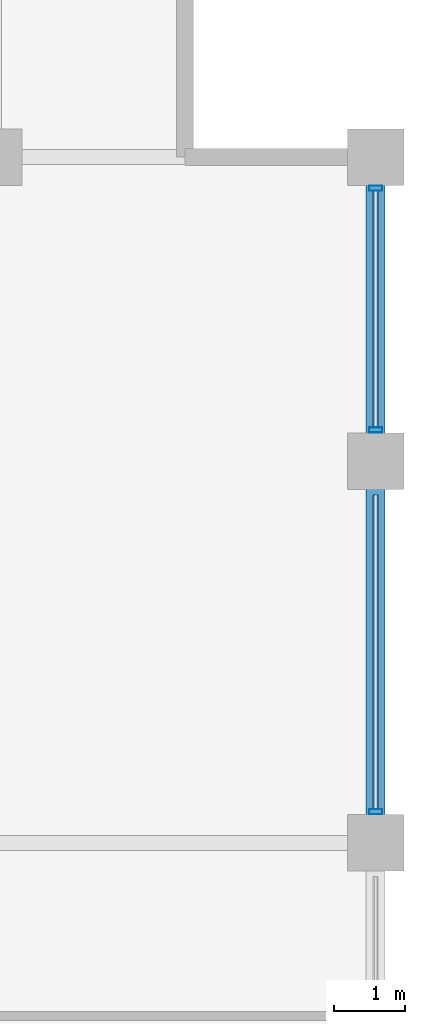
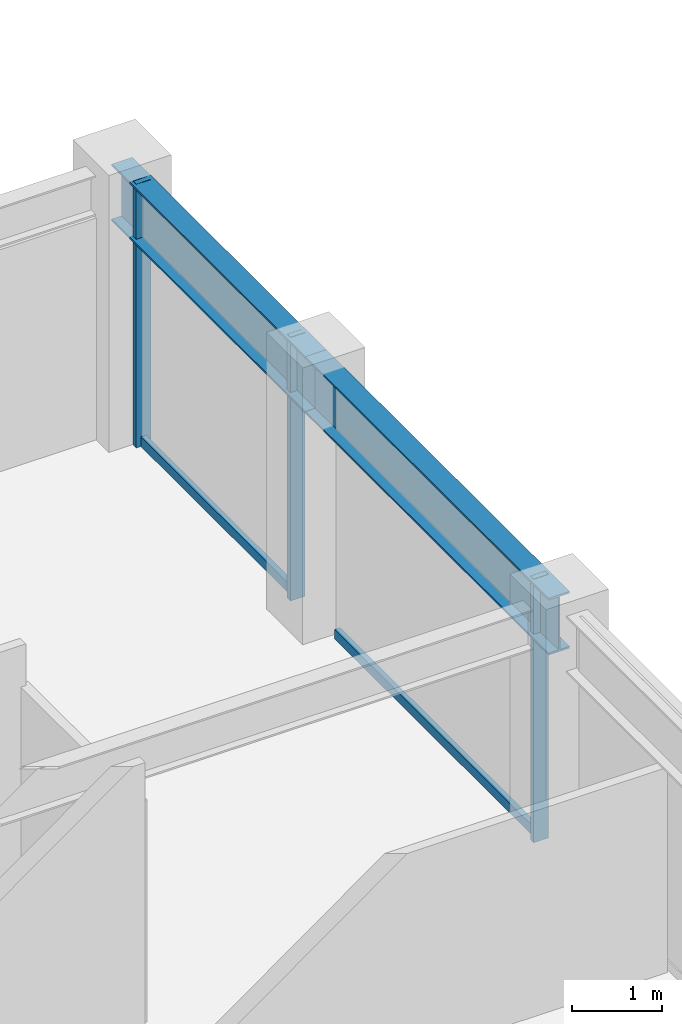
# One storey, part 25 of 32: 5 members, 2 beams, 1 element without a shape of its own.
"""IFC4 building model written with IfcOpenShell, lengths in metres."""

from ifc_helpers import new_model, si_unit, direction, frame, origin, origin_2d, place, context, subcontext, project, spatial, hollow_rectangle, i_section, extrude, material, layer, layer_set, material_profile, profile_set, type_object, element, aggregate, save


model = new_model("IFC4")

# Units and contexts
model_context = context("Model", 3, precision=1e-05, world=origin(), true_north=direction((0.0, 1.0)))
body_context = subcontext(model_context, "Body", "Model", "MODEL_VIEW")
ifc_project = project(units=[si_unit("LENGTHUNIT", "METRE"), si_unit("AREAUNIT", "SQUARE_METRE"), si_unit("VOLUMEUNIT", "CUBIC_METRE"), si_unit("PLANEANGLEUNIT", "RADIAN"), si_unit("MASSUNIT", "GRAM", prefix="KILO")], contexts=[model_context])

# Site, building, storey
site_placement = place(None, origin())
site = spatial("IfcSite", under=ifc_project, at=site_placement, CompositionType="ELEMENT")
building_placement = place(site_placement, origin())
building = spatial("IfcBuilding", under=site, at=building_placement, Name="Surkhivell Harbour Commons", CompositionType="ELEMENT")
storey_placement = place(building_placement, frame((0.0, 0.0, 219.75)))
storey = spatial("IfcBuildingStorey", under=building, at=storey_placement, Name="L57", CompositionType="ELEMENT", Elevation=219.75)

# Beams
ifc_material_1 = material(Name="Steel S355", Category="steel")
ifc_material_profile_1 = material_profile(ifc_material_1, i_section(OverallWidth=0.26806640625, OverallDepth=0.77001953125, WebThickness=0.015625, FlangeThickness=0.025390625, at=origin_2d()), Name="UB762x267x197")
ifc_profile_set_1 = profile_set([ifc_material_profile_1], Name="Steel S355")
beam_type = type_object("IfcBeamType", Name="BM-SPN-762", PredefinedType="SPANDREL", material=ifc_profile_set_1)
beam_1_placement = place(storey_placement, frame((21.60009765625, 10.800048828125, 3.18505859375), z_axis=(0.0, 1.0, 0.0), x_axis=(-1.0, 0.0, 0.0)))
element("IfcBeam", 1, at=beam_1_placement, inside=storey, type_object=beam_type, Name="L57 Tube Spandrel (21.6,10.8)", PredefinedType="SPANDREL", context=body_context, shape_type="SweptSolid", body=[
    extrude(i_section(OverallWidth=0.26806640625, OverallDepth=0.77001953125, WebThickness=0.015625, FlangeThickness=0.025390625, at=origin_2d()), origin(), (0.0, 0.0, 1.0), 5.39990234375),
])
beam_2_placement = place(storey_placement, frame((21.60009765625, 16.199951171875, 3.18505859375), z_axis=(0.0, 1.0, 0.0), x_axis=(-1.0, 0.0, 0.0)))
element("IfcBeam", 2, at=beam_2_placement, inside=storey, type_object=beam_type, Name="L57 Tube Spandrel (21.6,16.2)", PredefinedType="SPANDREL", context=body_context, shape_type="SweptSolid", body=[
    extrude(i_section(OverallWidth=0.26806640625, OverallDepth=0.77001953125, WebThickness=0.015625, FlangeThickness=0.025390625, at=origin_2d()), origin(), (0.0, 0.0, 1.0), 4.300048828125),
])

# Curtain wall, members
ifc_material_2 = material(Name="Anodised pale-metal aluminium and insulated glazing", Category="aluminium")
ifc_layer = layer(ifc_material_2, 0.18994140625)
ifc_layer_set = layer_set([ifc_layer], Name="Anodised pale-metal aluminium and insulated glazing")
curtain_wall_type = type_object("IfcCurtainWallType", Name="CW-SYS-Z3", PredefinedType="NOTDEFINED", material=ifc_layer_set)
curtain_wall_placement = place(storey_placement, origin())
curtain_wall = element("IfcCurtainWall", 3, at=curtain_wall_placement, inside=storey, type_object=curtain_wall_type, Name="L57 Curtain Wall CW-L57-E02", PredefinedType="NOTDEFINED")
ifc_material_3 = material(Name="Anodised pale-metal aluminium alloy 6063-T6", Category="aluminium")
ifc_material_profile_2 = material_profile(ifc_material_3, hollow_rectangle(XDim=0.074951171875, YDim=0.18994140625, WallThickness=0.00390625, at=origin_2d()), Name="ALU-MULL-75x190")
ifc_profile_set_2 = profile_set([ifc_material_profile_2], Name="Anodised pale-metal aluminium alloy 6063-T6")
member_type_1 = type_object("IfcMemberType", Name="CWM-190", PredefinedType="MULLION", material=ifc_profile_set_2)
member_1_placement = place(storey_placement, frame((21.60009765625, 11.239501953125, 0.0), z_axis=(0.0, 0.0, 1.0), x_axis=(0.0, 1.0, 0.0)))
member_1 = element("IfcMember", 4, at=member_1_placement, type_object=member_type_1, Name="CW-Z3 mullion 4", PredefinedType="MULLION", context=body_context, shape_type="SweptSolid", body=[
    extrude(hollow_rectangle(XDim=0.074951171875, YDim=0.18994140625, WallThickness=0.00390625, at=origin_2d()), origin(), (0.0, 0.0, 1.0), 3.570068359375),
])
member_2_placement = place(storey_placement, frame((21.60009765625, 16.639404296875, 0.0), z_axis=(0.0, 0.0, 1.0), x_axis=(0.0, 1.0, 0.0)))
member_2 = element("IfcMember", 5, at=member_2_placement, type_object=member_type_1, Name="CW-Z3 mullion 5", PredefinedType="MULLION", context=body_context, shape_type="SweptSolid", body=[
    extrude(hollow_rectangle(XDim=0.074951171875, YDim=0.18994140625, WallThickness=0.00390625, at=origin_2d()), origin(), (0.0, 0.0, 1.0), 3.570068359375),
])
member_3_placement = place(storey_placement, frame((21.60009765625, 20.060546875, 0.0), z_axis=(0.0, 0.0, 1.0), x_axis=(0.0, 1.0, 0.0)))
member_3 = element("IfcMember", 6, at=member_3_placement, type_object=member_type_1, Name="CW-Z3 mullion 6", PredefinedType="MULLION", context=body_context, shape_type="SweptSolid", body=[
    extrude(hollow_rectangle(XDim=0.074951171875, YDim=0.18994140625, WallThickness=0.00390625, at=origin_2d()), origin(), (0.0, 0.0, 1.0), 3.570068359375),
])
ifc_material_4 = material(Name="Champagne anodised aluminium alloy 6063-T6", Category="aluminium")
ifc_material_profile_3 = material_profile(ifc_material_4, hollow_rectangle(XDim=0.070068359375, YDim=0.1298828125, WallThickness=0.00341796875, at=origin_2d()), Name="ALU-TRAN-70x130")
ifc_profile_set_3 = profile_set([ifc_material_profile_3], Name="Champagne anodised aluminium alloy 6063-T6")
member_type_2 = type_object("IfcMemberType", Name="CWT-130", PredefinedType="USERDEFINED", material=ifc_profile_set_3)
member_4_placement = place(storey_placement, frame((21.60009765625, 11.277099609375, 0.06494140625), z_axis=(0.0, 1.0, 0.0), x_axis=(-1.0, 0.0, 0.0)))
member_4 = element("IfcMember", 7, at=member_4_placement, type_object=member_type_2, Name="CW-Z3 transom 4.1", ObjectType="TRANSOM", PredefinedType="USERDEFINED", context=body_context, shape_type="SweptSolid", body=[
    extrude(hollow_rectangle(XDim=0.070068359375, YDim=0.1298828125, WallThickness=0.00341796875, at=origin_2d()), origin(), (0.0, 0.0, 1.0), 4.44580078125),
])
member_5_placement = place(storey_placement, frame((21.60009765625, 16.677001953125, 0.06494140625), z_axis=(0.0, 1.0, 0.0), x_axis=(-1.0, 0.0, 0.0)))
member_5 = element("IfcMember", 8, at=member_5_placement, type_object=member_type_2, Name="CW-Z3 transom 5.1", ObjectType="TRANSOM", PredefinedType="USERDEFINED", context=body_context, shape_type="SweptSolid", body=[
    extrude(hollow_rectangle(XDim=0.070068359375, YDim=0.1298828125, WallThickness=0.00341796875, at=origin_2d()), origin(), (0.0, 0.0, 1.0), 3.345947265625),
])
aggregate(curtain_wall, [member_1, member_4, member_2, member_3, member_5])

save(model, "model.ifc")
